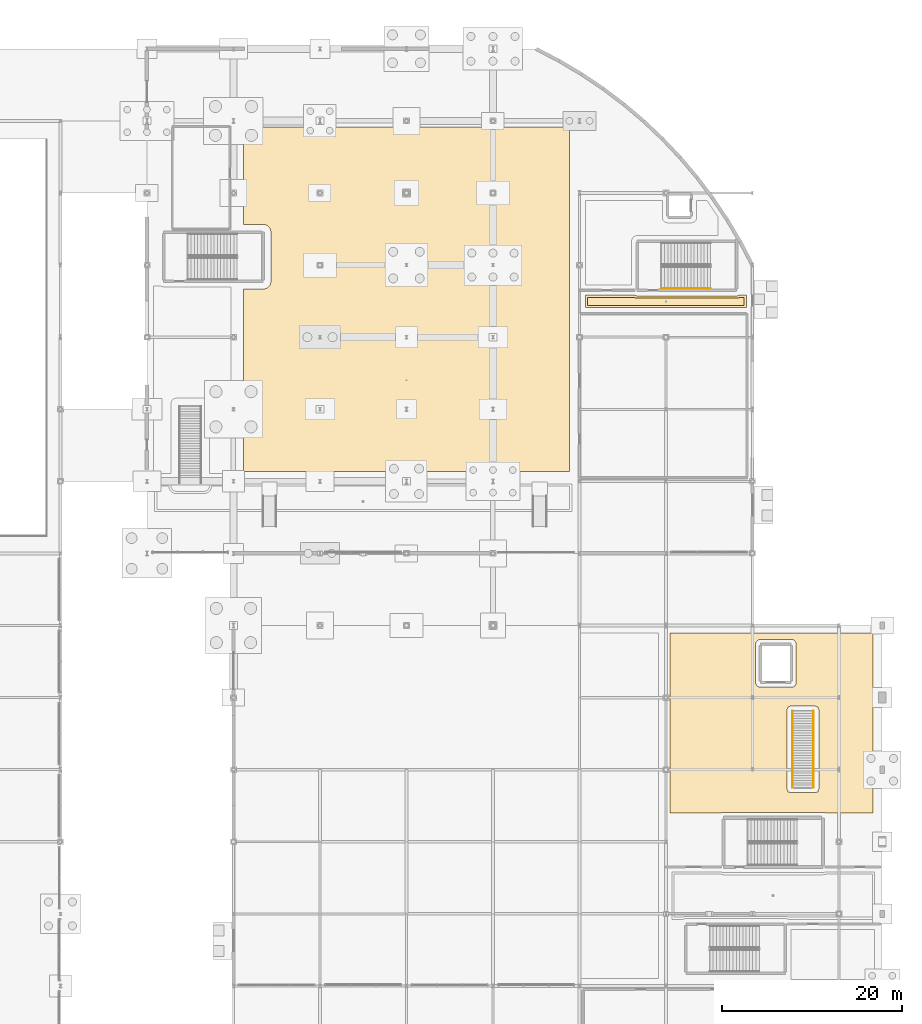
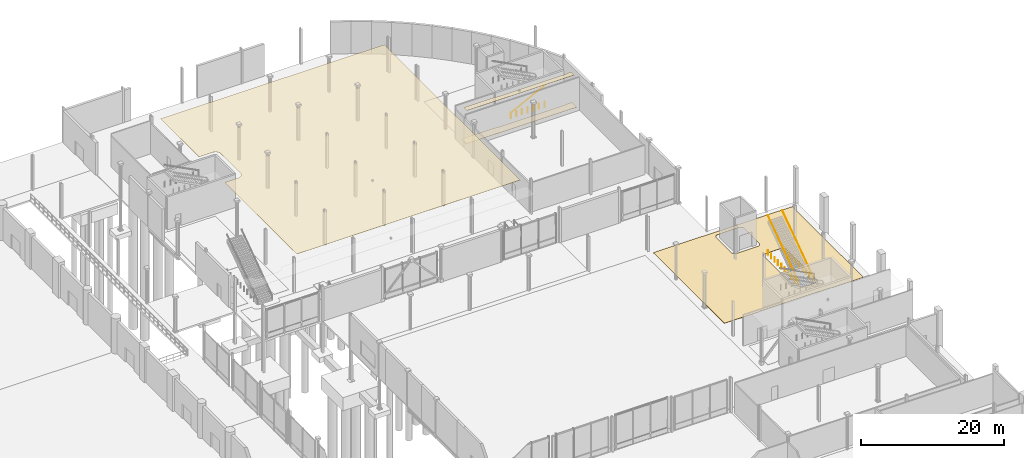
# One storey, part 121 of 124: 4 coverings, 3 railings.
"""IFC4 building model written with IfcOpenShell, lengths in metres."""

from ifc_helpers import new_model, si_unit, direction, frame, origin, origin_2d, place, context, subcontext, project, spatial, polyline, circle, outline, extrude, material, layer, layer_set, type_object, element, save


model = new_model("IFC4")

# Units and contexts
model_context = context("Model", 3, precision=1e-05, world=origin(), true_north=direction((0.0, 1.0)))
body_context = subcontext(model_context, "Body", "Model", "MODEL_VIEW")
ifc_project = project(units=[si_unit("LENGTHUNIT", "METRE"), si_unit("AREAUNIT", "SQUARE_METRE"), si_unit("VOLUMEUNIT", "CUBIC_METRE"), si_unit("PLANEANGLEUNIT", "RADIAN"), si_unit("MASSUNIT", "GRAM", prefix="KILO")], contexts=[model_context])

# Site, building, storey
site_placement = place(None, origin())
site = spatial("IfcSite", under=ifc_project, at=site_placement, CompositionType="ELEMENT")
building_placement = place(site_placement, origin())
building = spatial("IfcBuilding", under=site, at=building_placement, Name="Danafjord Basin Convention Centre", CompositionType="ELEMENT")
storey_placement = place(building_placement, origin())
storey = spatial("IfcBuildingStorey", under=building, at=storey_placement, Name="L00", CompositionType="ELEMENT", Elevation=0.0)

# Coverings
ifc_material_1 = material(Name="Perforated Nordic birch acoustic slats")
ifc_layer_1 = layer(ifc_material_1, 0.0400390625)
ifc_layer_set_1 = layer_set([ifc_layer_1], Name="Perforated Nordic birch acoustic slats")
covering_type_1 = type_object("IfcCoveringType", Name="COV-CLG-AC01", PredefinedType="CEILING", material=ifc_layer_set_1)
covering_1_placement = place(storey_placement, frame((0.0, 0.0, 5.43994140625)))
element("IfcCovering", 1, at=covering_1_placement, inside=storey, type_object=covering_type_1, Name="Plenary Conference Hall Orchestra Level acoustic ceiling", PredefinedType="CEILING", context=body_context, shape_type="SweptSolid", body=[
    extrude(outline(polyline([(147.2900390625, 117.340087890625), (147.333984375, 117.341064453125), (147.35009765625, 117.342041015625), (147.39892578125, 117.346923828125), (147.4140625, 117.34912109375), (147.5009765625, 117.366943359375), (147.51611328125, 117.37109375), (147.556884765625, 117.383056640625), (147.572021484375, 117.387939453125), (147.6640625, 117.426025390625), (147.677978515625, 117.43310546875), (147.7119140625, 117.450927734375), (147.72607421875, 117.458984375), (147.777099609375, 117.490966796875), (147.7900390625, 117.5), (147.841064453125, 117.5390625), (147.886962890625, 117.5810546875), (147.89794921875, 117.592041015625), (147.908935546875, 117.60302734375), (147.950927734375, 117.64892578125), (147.989990234375, 117.699951171875), (147.9990234375, 117.712890625), (148.031005859375, 117.763916015625), (148.0390625, 117.778076171875), (148.056884765625, 117.81201171875), (148.06396484375, 117.825927734375), (148.10205078125, 117.91796875), (148.10693359375, 117.93310546875), (148.118896484375, 117.97412109375), (148.123046875, 117.989013671875), (148.14111328125, 118.075927734375), (148.14306640625, 118.091064453125), (148.14794921875, 118.139892578125), (148.14892578125, 118.156005859375), (148.14990234375, 118.199951171875), (148.14990234375, 123.659912109375), (148.14892578125, 123.7041015625), (148.14794921875, 123.719970703125), (148.14306640625, 123.76904296875), (148.14111328125, 123.783935546875), (148.123046875, 123.87109375), (148.118896484375, 123.885986328125), (148.10693359375, 123.927001953125), (148.10205078125, 123.94189453125), (148.06396484375, 124.033935546875), (148.056884765625, 124.048095703125), (148.0390625, 124.08203125), (148.031005859375, 124.095947265625), (147.9990234375, 124.14697265625), (147.989990234375, 124.159912109375), (147.950927734375, 124.2109375), (147.908935546875, 124.257080078125), (147.89794921875, 124.26806640625), (147.886962890625, 124.279052734375), (147.841064453125, 124.321044921875), (147.7900390625, 124.360107421875), (147.777099609375, 124.368896484375), (147.72607421875, 124.40087890625), (147.7119140625, 124.408935546875), (147.677978515625, 124.427001953125), (147.6640625, 124.43408203125), (147.572021484375, 124.471923828125), (147.556884765625, 124.47705078125), (147.51611328125, 124.489013671875), (147.5009765625, 124.492919921875), (147.4140625, 124.510986328125), (147.39892578125, 124.512939453125), (147.35009765625, 124.51806640625), (147.333984375, 124.51904296875), (147.2900390625, 124.52001953125), (145.10009765625, 124.52001953125), (145.10009765625, 135.300048828125), (181.300048828125, 135.300048828125), (181.300048828125, 97.10009765625), (145.10009765625, 97.10009765625), (145.10009765625, 117.340087890625), (147.2900390625, 117.340087890625)])), origin(), (0.0, 0.0, 1.0), 0.0400390625),
])
covering_2_placement = place(storey_placement, frame((0.0, 0.0, 5.43994140625)))
element("IfcCovering", 2, at=covering_2_placement, inside=storey, type_object=covering_type_1, Name="Plenary North-East Protected Exit Passage acoustic ceiling", PredefinedType="CEILING", context=body_context, shape_type="SweptSolid", body=[
    extrude(outline(polyline([(188.43994140625, 116.419921875), (188.51806640625, 116.387939453125), (188.532958984375, 116.383056640625), (188.573974609375, 116.37109375), (188.589111328125, 116.366943359375), (188.676025390625, 116.34912109375), (188.69091796875, 116.346923828125), (188.739990234375, 116.342041015625), (188.756103515625, 116.341064453125), (188.800048828125, 116.340087890625), (199.840087890625, 116.340087890625), (199.884033203125, 116.341064453125), (199.89990234375, 116.342041015625), (199.948974609375, 116.346923828125), (199.964111328125, 116.34912109375), (200.051025390625, 116.366943359375), (200.06591796875, 116.37109375), (200.10693359375, 116.383056640625), (200.1220703125, 116.387939453125), (200.199951171875, 116.419921875), (200.679931640625, 116.419921875), (200.679931640625, 115.5400390625), (183.300048828125, 115.5400390625), (183.300048828125, 116.419921875), (188.43994140625, 116.419921875)])), origin(), (0.0, 0.0, 1.0), 0.0400390625),
])
ifc_material_2 = material(Name="Polished Bohus granite terrazzo", Category="masonry")
ifc_layer_2 = layer(ifc_material_2, 0.030029296875)
ifc_layer_set_2 = layer_set([ifc_layer_2], Name="Polished Bohus granite terrazzo")
covering_type_2 = type_object("IfcCoveringType", Name="COV-FLR-TER01", PredefinedType="FLOORING", material=ifc_layer_set_2)
covering_3_placement = place(storey_placement, origin())
element("IfcCovering", 3, at=covering_3_placement, inside=storey, type_object=covering_type_2, Name="Plenary North-East Protected Exit Passage finish flooring", PredefinedType="FLOORING", context=body_context, shape_type="SweptSolid", body=[
    extrude(outline(polyline([(188.4990234375, 116.669921875), (188.501953125, 116.66796875), (188.52392578125, 116.656982421875), (188.5380859375, 116.64990234375), (188.596923828125, 116.625), (188.612060546875, 116.6201171875), (188.637939453125, 116.612060546875), (188.653076171875, 116.60791015625), (188.7099609375, 116.596923828125), (188.72509765625, 116.594970703125), (188.756103515625, 116.592041015625), (188.77197265625, 116.591064453125), (188.800048828125, 116.590087890625), (199.840087890625, 116.590087890625), (199.867919921875, 116.591064453125), (199.884033203125, 116.592041015625), (199.9150390625, 116.594970703125), (199.929931640625, 116.596923828125), (199.987060546875, 116.60791015625), (200.001953125, 116.612060546875), (200.028076171875, 116.6201171875), (200.04296875, 116.625), (200.10205078125, 116.64990234375), (200.115966796875, 116.656982421875), (200.137939453125, 116.66796875), (200.14111328125, 116.669921875), (200.929931640625, 116.669921875), (200.929931640625, 115.2900390625), (183.050048828125, 115.2900390625), (183.050048828125, 116.669921875), (188.4990234375, 116.669921875)])), origin(), (0.0, 0.0, 1.0), 0.030029296875),
])
covering_4_placement = place(storey_placement, origin())
element("IfcCovering", 4, at=covering_4_placement, inside=storey, type_object=covering_type_2, Name="East Ballroom Pre-Function Foyer finish flooring", PredefinedType="FLOORING", context=body_context, shape_type="SweptSolid", body=[
    extrude(outline(polyline([(214.949951171875, 79.14990234375), (214.949951171875, 59.199951171875), (209.722900390625, 59.199951171875), (209.716064453125, 59.202880859375), (209.701904296875, 59.2099609375), (209.64306640625, 59.235107421875), (209.6279296875, 59.239990234375), (209.60205078125, 59.248046875), (209.5869140625, 59.251953125), (209.530029296875, 59.262939453125), (209.514892578125, 59.264892578125), (209.48388671875, 59.26806640625), (209.468017578125, 59.26904296875), (209.43994140625, 59.27001953125), (198.39990234375, 59.27001953125), (198.3720703125, 59.26904296875), (198.35595703125, 59.26806640625), (198.324951171875, 59.264892578125), (198.31005859375, 59.262939453125), (198.2529296875, 59.251953125), (198.238037109375, 59.248046875), (198.2119140625, 59.239990234375), (198.197021484375, 59.235107421875), (198.137939453125, 59.2099609375), (198.1240234375, 59.202880859375), (198.116943359375, 59.199951171875), (192.449951171875, 59.199951171875), (192.449951171875, 79.14990234375), (214.949951171875, 79.14990234375)]), holes=[polyline([(208.5849609375, 61.47412109375), (208.635009765625, 61.491943359375), (208.68408203125, 61.514892578125), (208.73095703125, 61.54296875), (208.739990234375, 61.550048828125), (208.875, 61.550048828125), (208.875, 61.68505859375), (208.882080078125, 61.694091796875), (208.909912109375, 61.740966796875), (208.93310546875, 61.7900390625), (208.950927734375, 61.840087890625), (208.964111328125, 61.89306640625), (208.971923828125, 61.946044921875), (208.97509765625, 62.0), (208.97509765625, 70.52490234375), (208.971923828125, 70.5791015625), (208.964111328125, 70.632080078125), (208.950927734375, 70.68505859375), (208.93310546875, 70.735107421875), (208.909912109375, 70.783935546875), (208.882080078125, 70.8310546875), (208.875, 70.840087890625), (208.875, 70.97509765625), (208.739990234375, 70.97509765625), (208.73095703125, 70.98193359375), (208.68408203125, 71.010009765625), (208.635009765625, 71.032958984375), (208.5849609375, 71.051025390625), (208.531982421875, 71.06396484375), (208.47900390625, 71.072021484375), (208.425048828125, 71.074951171875), (205.97509765625, 71.074951171875), (205.9208984375, 71.072021484375), (205.867919921875, 71.06396484375), (205.81494140625, 71.051025390625), (205.764892578125, 71.032958984375), (205.716064453125, 71.010009765625), (205.6689453125, 70.98193359375), (205.659912109375, 70.97509765625), (205.52490234375, 70.97509765625), (205.52490234375, 70.840087890625), (205.51806640625, 70.8310546875), (205.489990234375, 70.783935546875), (205.467041015625, 70.735107421875), (205.448974609375, 70.68505859375), (205.43603515625, 70.632080078125), (205.427978515625, 70.5791015625), (205.425048828125, 70.52490234375), (205.425048828125, 62.0), (205.427978515625, 61.946044921875), (205.43603515625, 61.89306640625), (205.448974609375, 61.840087890625), (205.467041015625, 61.7900390625), (205.489990234375, 61.740966796875), (205.51806640625, 61.694091796875), (205.52490234375, 61.68505859375), (205.52490234375, 61.550048828125), (205.659912109375, 61.550048828125), (205.6689453125, 61.54296875), (205.716064453125, 61.514892578125), (205.764892578125, 61.491943359375), (205.81494140625, 61.47412109375), (205.867919921875, 61.4609375), (205.9208984375, 61.452880859375), (205.97509765625, 61.449951171875), (208.425048828125, 61.449951171875), (208.47900390625, 61.452880859375), (208.531982421875, 61.4609375), (208.5849609375, 61.47412109375)]), polyline([(202.240966796875, 73.215087890625), (202.2900390625, 73.19189453125), (202.340087890625, 73.174072265625), (202.39306640625, 73.160888671875), (202.446044921875, 73.153076171875), (202.5, 73.14990234375), (205.89990234375, 73.14990234375), (205.9541015625, 73.153076171875), (206.007080078125, 73.160888671875), (206.06005859375, 73.174072265625), (206.110107421875, 73.19189453125), (206.158935546875, 73.215087890625), (206.2060546875, 73.242919921875), (206.2490234375, 73.27490234375), (206.2890625, 73.31103515625), (206.324951171875, 73.35107421875), (206.35693359375, 73.39404296875), (206.385009765625, 73.44091796875), (206.407958984375, 73.489990234375), (206.426025390625, 73.5400390625), (206.43896484375, 73.593017578125), (206.447021484375, 73.64599609375), (206.449951171875, 73.699951171875), (206.449951171875, 77.89990234375), (206.447021484375, 77.9541015625), (206.43896484375, 78.007080078125), (206.426025390625, 78.06005859375), (206.407958984375, 78.110107421875), (206.385009765625, 78.158935546875), (206.35693359375, 78.2060546875), (206.324951171875, 78.2490234375), (206.2890625, 78.2890625), (206.2490234375, 78.324951171875), (206.2060546875, 78.35693359375), (206.158935546875, 78.385009765625), (206.110107421875, 78.407958984375), (206.06005859375, 78.426025390625), (206.007080078125, 78.43896484375), (205.9541015625, 78.447021484375), (205.89990234375, 78.449951171875), (202.5, 78.449951171875), (202.446044921875, 78.447021484375), (202.39306640625, 78.43896484375), (202.340087890625, 78.426025390625), (202.2900390625, 78.407958984375), (202.240966796875, 78.385009765625), (202.194091796875, 78.35693359375), (202.15087890625, 78.324951171875), (202.111083984375, 78.2890625), (202.074951171875, 78.2490234375), (202.04296875, 78.2060546875), (202.014892578125, 78.158935546875), (201.991943359375, 78.110107421875), (201.97412109375, 78.06005859375), (201.9609375, 78.007080078125), (201.952880859375, 77.9541015625), (201.949951171875, 77.89990234375), (201.949951171875, 73.699951171875), (201.952880859375, 73.64599609375), (201.9609375, 73.593017578125), (201.97412109375, 73.5400390625), (201.991943359375, 73.489990234375), (202.014892578125, 73.44091796875), (202.04296875, 73.39404296875), (202.074951171875, 73.35107421875), (202.111083984375, 73.31103515625), (202.15087890625, 73.27490234375), (202.194091796875, 73.242919921875), (202.240966796875, 73.215087890625)])]), origin(), (0.0, 0.0, 1.0), 0.030029296875),
])

# Railings
ifc_material_3 = material(Name="Brushed stainless steel EN 1.4404", Category="steel")
railing_type = type_object("IfcRailingType", Name="RL-HR-STAIR", PredefinedType="HANDRAIL", material=ifc_material_3)
railing_placement = place(storey_placement, frame((191.47998046875, 117.409912109375, 0.1875)))
element("IfcRailing", 5, at=railing_placement, inside=storey, type_object=railing_type, Name="L00 ST-11 stair handrail 1", PredefinedType="HANDRAIL", context=body_context, shape_type="SweptSolid", body=[
    extrude(circle(Radius=0.02392578125, at=origin_2d()), frame((0.0, 0.0, 0.8759765625), z_axis=(0.889503409663, 0.0, 0.456928532922), x_axis=(0.0, 1.0, 0.0)), (0.0, 0.0, 1.0), 6.1552734375),
    extrude(circle(Radius=0.02099609375, at=origin_2d()), origin(), (0.0, 0.0, 1.0), 0.849853515625),
    extrude(circle(Radius=0.02099609375, at=origin_2d()), frame((0.91259765625, 0.0, 0.0)), (0.0, 0.0, 1.0), 0.849853515625),
    extrude(circle(Radius=0.02099609375, at=origin_2d()), frame((1.824951171875, 0.0, 0.0)), (0.0, 0.0, 1.0), 0.849853515625),
    extrude(circle(Radius=0.02099609375, at=origin_2d()), frame((2.737548828125, 0.0, 0.0)), (0.0, 0.0, 1.0), 0.849853515625),
    extrude(circle(Radius=0.02099609375, at=origin_2d()), frame((3.650146484375, 0.0, 0.0)), (0.0, 0.0, 1.0), 0.849853515625),
    extrude(circle(Radius=0.02099609375, at=origin_2d()), frame((4.5625, 0.0, 0.0)), (0.0, 0.0, 1.0), 0.849853515625),
    extrude(circle(Radius=0.02099609375, at=origin_2d()), frame((5.47509765625, 0.0, 0.0)), (0.0, 0.0, 1.0), 0.849853515625),
])
for number, where, name in (
    (6, (206.02490234375, 62.0, 0.0), "Ballroom Pre-Function Grand Stair handrail L"),
    (7, (208.375, 62.0, 0.0), "Ballroom Pre-Function Grand Stair handrail R"),
):
    element("IfcRailing", number, at=place(storey_placement, frame(where)), inside=storey, type_object=railing_type, Name=name, PredefinedType="HANDRAIL", context=body_context, shape_type="SweptSolid", body=[
        extrude(circle(Radius=0.02392578125, at=origin_2d()), frame((0.0, 0.0, 0.89599609375), z_axis=(0.0, 0.817761511564, 0.575557217143), x_axis=(-1.0, 0.0, 0.0)), (0.0, 0.0, 1.0), 10.424560546875),
        extrude(circle(Radius=0.02099609375, at=origin_2d()), origin(), (0.0, 0.0, 1.0), 0.869873046875),
        extrude(circle(Radius=0.02099609375, at=origin_2d()), frame((0.0, 0.947265625, 0.0)), (0.0, 0.0, 1.0), 0.869873046875),
        extrude(circle(Radius=0.02099609375, at=origin_2d()), frame((0.0, 1.89453125, 0.0)), (0.0, 0.0, 1.0), 0.869873046875),
        extrude(circle(Radius=0.02099609375, at=origin_2d()), frame((0.0, 2.841552734375, 0.0)), (0.0, 0.0, 1.0), 0.869873046875),
        extrude(circle(Radius=0.02099609375, at=origin_2d()), frame((0.0, 3.788818359375, 0.0)), (0.0, 0.0, 1.0), 0.869873046875),
        extrude(circle(Radius=0.02099609375, at=origin_2d()), frame((0.0, 4.736083984375, 0.0)), (0.0, 0.0, 1.0), 0.869873046875),
        extrude(circle(Radius=0.02099609375, at=origin_2d()), frame((0.0, 5.683349609375, 0.0)), (0.0, 0.0, 1.0), 0.869873046875),
        extrude(circle(Radius=0.02099609375, at=origin_2d()), frame((0.0, 6.63037109375, 0.0)), (0.0, 0.0, 1.0), 0.869873046875),
        extrude(circle(Radius=0.02099609375, at=origin_2d()), frame((0.0, 7.57763671875, 0.0)), (0.0, 0.0, 1.0), 0.869873046875),
        extrude(circle(Radius=0.02099609375, at=origin_2d()), frame((0.0, 8.52490234375, 0.0)), (0.0, 0.0, 1.0), 0.869873046875),
    ])

save(model, "model.ifc")
